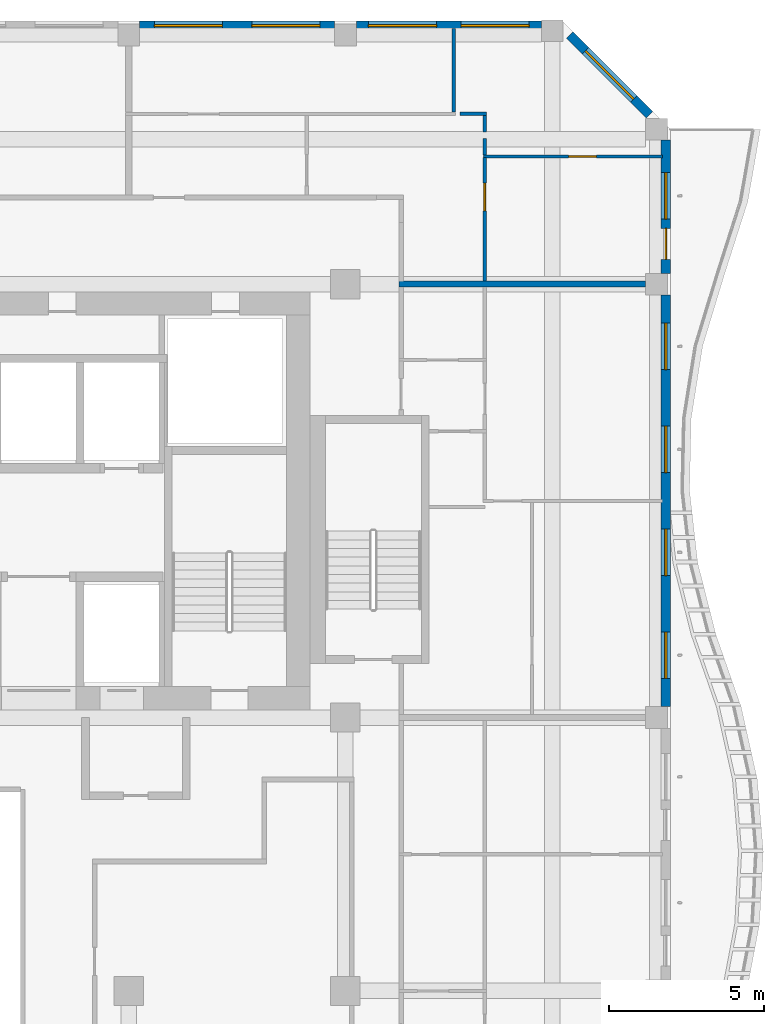
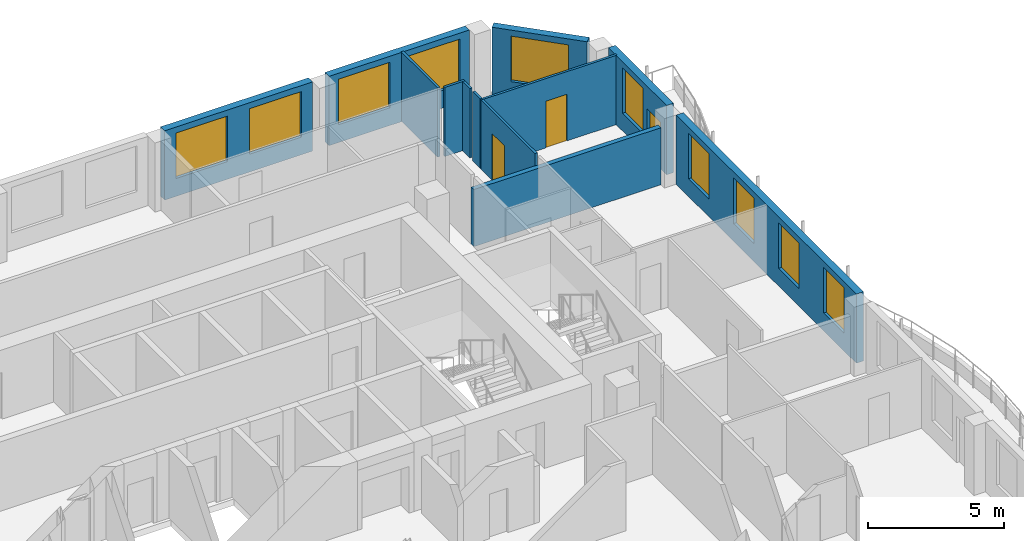
# One storey, part 9 of 20: 12 walls, 10 windows, 3 doors, 13 openings.
"""IFC4 building model written with IfcOpenShell, lengths in metres."""

import ifcopenshell
import ifcopenshell.guid

model = None  # the IFC model being written
_history = None  # IfcOwnerHistory: only IFC2X3 demands one
_inside = {}  # id of a spatial element -> (the spatial element, [elements in it])
_under = {}  # id of a project, library or spatial element -> (it, [spatial elements below it])
_declared = {}  # id of a project -> (the project, [libraries it declares])
_typed = {}  # id of a type object -> (the type object, [elements of that type])
_made_of = {}  # id of a material, layer set ... -> (it, [elements and type objects made of it])


def new_model(schema):
    """Start an empty IFC model of exactly this schema.

    Asked for "IFC4X3", IfcOpenShell would pick the latest addendum, in which some entities
    have other attributes; the version numbers below select the first issue.
    IFC2X3 requires an IfcOwnerHistory on every rooted entity: one is made here for all.
    """
    global model, _history
    if schema == "IFC4X3":
        model = ifcopenshell.file(schema_version=(4, 3, 0, 0))
    else:
        model = ifcopenshell.file(schema=schema)
    _inside.clear()
    _under.clear()
    _declared.clear()
    _typed.clear()
    _made_of.clear()
    _history = None
    if model.schema == "IFC2X3":
        org = make("IfcOrganization", Name="unknown")
        user = make(
            "IfcPersonAndOrganization",
            ThePerson=make("IfcPerson", FamilyName="unknown"),
            TheOrganization=org,
        )
        app = make(
            "IfcApplication",
            ApplicationDeveloper=org,
            Version="unknown",
            ApplicationFullName="unknown",
            ApplicationIdentifier="unknown",
        )
        _history = make(
            "IfcOwnerHistory",
            OwningUser=user,
            OwningApplication=app,
            ChangeAction="ADDED",
            CreationDate=0,
        )
    return model


def make(cls, **values):
    """One entity of the class cls with the attributes given. An attribute that is None is left unset."""
    return model.create_entity(
        cls, **{name: value for name, value in values.items() if value is not None}
    )


def rooted(cls, **values):
    """An entity with a GlobalId (a new one), such as an element, a storey or a relation."""
    return make(cls, GlobalId=ifcopenshell.guid.new(), OwnerHistory=_history, **values)


def si_unit(unit_type, name, prefix=None):
    """IfcSIUnit, for example si_unit("LENGTHUNIT", "METRE", prefix="MILLI")."""
    return make("IfcSIUnit", UnitType=unit_type, Prefix=prefix, Name=name)


def assignment(units):
    """IfcUnitAssignment: the units of a project."""
    return None if units is None else make("IfcUnitAssignment", Units=units)


def point(xyz):
    """IfcCartesianPoint."""
    return None if xyz is None else make("IfcCartesianPoint", Coordinates=xyz)


def direction(xyz):
    """IfcDirection."""
    return None if xyz is None else make("IfcDirection", DirectionRatios=xyz)


def frame(location, z_axis=None, x_axis=None):
    """IfcAxis2Placement3D, a coordinate frame: its origin and axes. An axis left out is left unset."""
    return make(
        "IfcAxis2Placement3D",
        Location=point(location),
        Axis=direction(z_axis),
        RefDirection=direction(x_axis),
    )


def frame_2d(location, x_axis=None):
    """IfcAxis2Placement2D, a coordinate frame in the plane: its origin and x axis."""
    return make(
        "IfcAxis2Placement2D", Location=point(location), RefDirection=direction(x_axis)
    )


def origin():
    """The frame at (0, 0, 0) with its axes left unset."""
    return frame((0.0, 0.0, 0.0))


def place(relative_to, where):
    """IfcLocalPlacement: puts the frame where relative to a parent placement (None: the world)."""
    return make(
        "IfcLocalPlacement", PlacementRelTo=relative_to, RelativePlacement=where
    )


def context(
    kind, dimensions, precision=None, world=None, true_north=None, identifier=None
):
    """IfcGeometricRepresentationContext, for example the 3D "Model" context."""
    return make(
        "IfcGeometricRepresentationContext",
        ContextIdentifier=identifier,
        ContextType=kind,
        CoordinateSpaceDimension=dimensions,
        Precision=precision,
        WorldCoordinateSystem=world,
        TrueNorth=true_north,
    )


def subcontext(parent, identifier, kind, view, scale=None):
    """IfcGeometricRepresentationSubContext, for example "Body" below "Model"."""
    return make(
        "IfcGeometricRepresentationSubContext",
        ContextIdentifier=identifier,
        ContextType=kind,
        ParentContext=parent,
        TargetScale=scale,
        TargetView=view,
    )


def project(units=None, contexts=None):
    """IfcProject with its units and contexts."""
    return rooted(
        "IfcProject",
        Name="project",
        RepresentationContexts=contexts,
        UnitsInContext=assignment(units),
    )


def spatial(cls, under=None, at=None, **own):
    """A site, building, storey or space (cls), placed at a placement, below another one or the project."""
    s = rooted(cls, ObjectPlacement=at, **own)
    if under is not None:
        _under.setdefault(under.id(), (under, []))[1].append(s)
    return s


def profile(cls, at=None, kind="AREA", **sizes):
    """A parametric profile (cls). Its sizes go by their IFC names, for example OverallWidth=200.0."""
    return make(cls, ProfileType=kind, Position=at, **sizes)


def rectangle(**sizes):
    """IfcRectangleProfileDef."""
    return profile("IfcRectangleProfileDef", **sizes)


def extrude(swept, where, along, depth):
    """IfcExtrudedAreaSolid: the profile swept, set in the frame where, extruded along a direction by depth."""
    return make(
        "IfcExtrudedAreaSolid",
        SweptArea=swept,
        Position=where,
        ExtrudedDirection=direction(along),
        Depth=depth,
    )


def shape(context_of_items, identifier, shape_type, items):
    """IfcShapeRepresentation: the items that make up one representation, for example the "Body"."""
    return make(
        "IfcShapeRepresentation",
        ContextOfItems=context_of_items,
        RepresentationIdentifier=identifier,
        RepresentationType=shape_type,
        Items=items,
    )


def source(mapping_origin, context_of_items, identifier, shape_type, items):
    """IfcRepresentationMap: a shape defined once, which mapped items show again and again."""
    return make(
        "IfcRepresentationMap",
        MappingOrigin=mapping_origin,
        MappedRepresentation=shape(context_of_items, identifier, shape_type, items),
    )


def transform(
    local_origin,
    x_axis=None,
    y_axis=None,
    z_axis=None,
    scale=None,
    scale2=None,
    scale3=None,
    uniform=True,
):
    """IfcCartesianTransformationOperator3D, or its non-uniform kind. x_axis, y_axis, z_axis: its Axis1, 2, 3."""
    if uniform:
        return make(
            "IfcCartesianTransformationOperator3D",
            Axis1=direction(x_axis),
            Axis2=direction(y_axis),
            LocalOrigin=point(local_origin),
            Scale=scale,
            Axis3=direction(z_axis),
        )
    return make(
        "IfcCartesianTransformationOperator3DnonUniform",
        Axis1=direction(x_axis),
        Axis2=direction(y_axis),
        LocalOrigin=point(local_origin),
        Scale=scale,
        Axis3=direction(z_axis),
        Scale2=scale2,
        Scale3=scale3,
    )


def mapped(mapping_source, mapping_target):
    """IfcMappedItem: shows the shape of a source again, moved by a transform."""
    return make(
        "IfcMappedItem", MappingSource=mapping_source, MappingTarget=mapping_target
    )


def material(Name=None, Category=None):
    """IfcMaterial."""
    return make("IfcMaterial", Name=Name, Category=Category)


def layer(
    of_material, thickness, ventilated=None, Name=None, Category=None, Priority=None
):
    """IfcMaterialLayer: one layer of a wall or slab, of a material (None: an air gap)."""
    return make(
        "IfcMaterialLayer",
        Material=of_material,
        LayerThickness=thickness,
        IsVentilated=ventilated,
        Name=Name,
        Category=Category,
        Priority=Priority,
    )


def layer_set(layers, Name=None):
    """IfcMaterialLayerSet."""
    return make("IfcMaterialLayerSet", MaterialLayers=layers, LayerSetName=Name)


def made_of(thing, what):
    """Note that an element or type object is made of a material, layer set ...; save() writes the relation."""
    if what is not None:
        _made_of.setdefault(what.id(), (what, []))[1].append(thing)
    return thing


def type_object(cls, material=None, **own):
    """A type object (cls), such as IfcWallType, which elements share."""
    return made_of(rooted(cls, **own), material)


def element(
    cls,
    number,
    at=None,
    inside=None,
    cuts=None,
    type_object=None,
    material=None,
    context=None,
    identifier="Body",
    shape_type=None,
    held_by="IfcProductDefinitionShape",
    body=None,
    shapes=None,
    **own,
):
    """One element of the class cls, such as IfcWall. Its Tag is "e" and its number.

    at: its placement. inside: the storey or other place that contains it. cuts: it is an
    opening in that element (IfcRelVoidsElement). A single representation is given by context,
    identifier, shape_type and body (its items); several are given by shapes. held_by: the class
    of the entity that holds the representations. save() writes the other relations.
    """
    e = rooted(cls, Tag="e%d" % number, ObjectPlacement=at, **own)
    if body is not None:
        shapes = [shape(context, identifier, shape_type, body)]
    if shapes is not None:
        e.Representation = make(held_by, Representations=shapes)
    if inside is not None:
        _inside.setdefault(inside.id(), (inside, []))[1].append(e)
    if cuts is not None:
        rooted(
            "IfcRelVoidsElement", RelatingBuildingElement=cuts, RelatedOpeningElement=e
        )
    if type_object is not None:
        _typed.setdefault(type_object.id(), (type_object, []))[1].append(e)
    return made_of(e, material)


def fill(opening, filler):
    """IfcRelFillsElement: the door or window that sits in an opening."""
    return rooted(
        "IfcRelFillsElement",
        RelatingOpeningElement=opening,
        RelatedBuildingElement=filler,
    )


def aggregate(whole, parts):
    """IfcRelAggregates: a whole, such as a stair, and the parts it consists of."""
    return rooted("IfcRelAggregates", RelatingObject=whole, RelatedObjects=parts)


def save(model, path):
    """Write the relations noted so far, then the file.

    IfcRelAggregates (storeys below a building ...), IfcRelContainedInSpatialStructure (elements
    in a storey), IfcRelDefinesByType, IfcRelAssociatesMaterial and IfcRelDeclares: one each for
    every whole, place, type object, material and project.
    """
    for whole, parts in _under.values():
        aggregate(whole, parts)
    for where, things in _inside.values():
        rooted(
            "IfcRelContainedInSpatialStructure",
            RelatedElements=things,
            RelatingStructure=where,
        )
    for kind, things in _typed.values():
        rooted("IfcRelDefinesByType", RelatedObjects=things, RelatingType=kind)
    for what, things in _made_of.values():
        rooted("IfcRelAssociatesMaterial", RelatedObjects=things, RelatingMaterial=what)
    for by, libraries in _declared.values():
        rooted("IfcRelDeclares", RelatingContext=by, RelatedDefinitions=libraries)
    model.write(path)


model = new_model("IFC4")

# Units and contexts
model_context = context("Model", 3, precision=1e-05, world=origin(), true_north=direction((0.0, 1.0)))
body_context = subcontext(model_context, "Body", "Model", "MODEL_VIEW")
ifc_project = project(units=[si_unit("LENGTHUNIT", "METRE"), si_unit("AREAUNIT", "SQUARE_METRE"), si_unit("VOLUMEUNIT", "CUBIC_METRE"), si_unit("PLANEANGLEUNIT", "RADIAN"), si_unit("MASSUNIT", "GRAM", prefix="KILO")], contexts=[model_context])

# Site, building, storey
site_placement = place(None, origin())
site = spatial("IfcSite", under=ifc_project, at=site_placement, CompositionType="ELEMENT")
building_placement = place(site_placement, origin())
building = spatial("IfcBuilding", under=site, at=building_placement, Name="Kilnfold Tower and Market Hall", CompositionType="ELEMENT")
storey_placement = place(building_placement, frame((0.0, 0.0, 239.0)))
storey = spatial("IfcBuildingStorey", under=building, at=storey_placement, Name="L57", CompositionType="ELEMENT", Elevation=239.0)

# Wall, opening, door
ifc_material_1 = material(Name="Gypsum board on steel studs", Category="steel")
ifc_layer_1 = layer(ifc_material_1, 0.10009765625)
ifc_layer_set_1 = layer_set([ifc_layer_1], Name="Gypsum board on steel studs")
wall_type_1 = type_object("IfcWallType", Name="WALL PARTITION 100", PredefinedType="PARTITIONING", material=ifc_layer_set_1)
wall_1_placement = place(storey_placement, frame((23.5, 22.10009765625, 0.0), z_axis=(0.0, 0.0, 1.0), x_axis=(0.0, 1.0, 0.0)))
wall_1 = element("IfcWall", 1, at=wall_1_placement, inside=storey, type_object=wall_type_1, Name="Partition LY35.92", PredefinedType="PARTITIONING", context=body_context, shape_type="SweptSolid", body=[
    extrude(rectangle(XDim=3.98486328125, YDim=0.10009765625, at=frame_2d((1.992431640625, 0.0))), origin(), (0.0, 0.0, 1.0), 3.1201171875),
])
opening_1_placement = place(wall_1_placement, frame((2.264892578125, 0.0, 0.0)))
opening_1 = element("IfcOpeningElement", 2, at=opening_1_placement, cuts=wall_1, Name="Opening D2", PredefinedType="OPENING", context=body_context, shape_type="SweptSolid", body=[
    extrude(rectangle(XDim=0.89990234375, YDim=2.10009765625, at=frame_2d((0.449951171875, 1.050048828125))), frame((0.0, 0.06005859375, 0.0), z_axis=(0.0, -1.0, 0.0), x_axis=(1.0, 0.0, 0.0)), (0.0, 0.0, 1.0), 0.1201171875),
])
ifc_material_2 = material(Name="Timber veneer door leaf in steel frame", Category="steel")
door_type_1 = type_object("IfcDoorType", Name="DOOR ROOM 900 X2100", OperationType="NOTDEFINED", PredefinedType="DOOR", material=ifc_material_2)
door_1_placement = place(opening_1_placement, origin())
door_1 = element("IfcDoor", 3, at=door_1_placement, inside=storey, type_object=door_type_1, Name="Door D2", OperationType="SINGLE_SWING_LEFT", OverallHeight=2.10009765625, OverallWidth=0.89990234375, PredefinedType="DOOR", context=body_context, shape_type="SweptSolid", body=[
    extrude(rectangle(XDim=0.89990234375, YDim=2.10009765625, at=frame_2d((0.449951171875, 1.050048828125))), frame((0.0, 0.02490234375, 0.0), z_axis=(0.0, -1.0, 0.0), x_axis=(1.0, 0.0, 0.0)), (0.0, 0.0, 1.0), 0.050048828125),
])
fill(opening_1, door_1)

# Walls
wall_2_placement = place(storey_placement, frame((23.552001953125, 27.501953125, 0.0), z_axis=(0.0, 0.0, 1.0), x_axis=(-1.0, 0.0, 0.0)))
element("IfcWall", 4, at=wall_2_placement, inside=storey, type_object=wall_type_1, Name="Partition LY35.93", PredefinedType="PARTITIONING", context=body_context, shape_type="SweptSolid", body=[
    extrude(rectangle(XDim=0.85400390625, YDim=0.10009765625, at=frame_2d((0.427001953125, 0.0))), origin(), (0.0, 0.0, 1.0), 3.1201171875),
])
wall_3_placement = place(storey_placement, frame((23.501953125, 26.9169921875, 0.0), z_axis=(0.0, 0.0, 1.0), x_axis=(0.0, 1.0, 0.0)))
element("IfcWall", 5, at=wall_3_placement, inside=storey, type_object=wall_type_1, Name="Partition LY35.94", PredefinedType="PARTITIONING", context=body_context, shape_type="SweptSolid", body=[
    extrude(rectangle(XDim=0.534912109375, YDim=0.10009765625, at=frame_2d((0.267578125, 0.0))), origin(), (0.0, 0.0, 1.0), 3.1201171875),
])
wall_4_placement = place(storey_placement, frame((23.5, 26.1650390625, 0.0), z_axis=(0.0, 0.0, 1.0), x_axis=(0.0, 1.0, 0.0)))
element("IfcWall", 6, at=wall_4_placement, inside=storey, type_object=wall_type_1, Name="Partition LY35.95", PredefinedType="PARTITIONING", context=body_context, shape_type="SweptSolid", body=[
    extrude(rectangle(XDim=0.532958984375, YDim=0.10009765625, at=frame_2d((0.2666015625, 0.0))), origin(), (0.0, 0.0, 1.0), 3.1201171875),
])
wall_5_placement = place(storey_placement, frame((22.5, 27.552001953125, 0.0), z_axis=(0.0, 0.0, 1.0), x_axis=(0.0, 1.0, 0.0)))
element("IfcWall", 7, at=wall_5_placement, inside=storey, type_object=wall_type_1, Name="Partition LY35.96", PredefinedType="PARTITIONING", context=body_context, shape_type="SweptSolid", body=[
    extrude(rectangle(XDim=2.697998046875, YDim=0.10009765625, at=frame_2d((1.34912109375, 0.0))), origin(), (0.0, 0.0, 1.0), 3.1201171875),
])

# Wall, opening, door
wall_6_placement = place(storey_placement, frame((29.25, 26.125, 0.0), z_axis=(0.0, 0.0, 1.0), x_axis=(-1.0, 0.0, 0.0)))
wall_6 = element("IfcWall", 8, at=wall_6_placement, inside=storey, type_object=wall_type_1, Name="Partition LY35.98", PredefinedType="PARTITIONING", context=body_context, shape_type="SweptSolid", body=[
    extrude(rectangle(XDim=5.798095703125, YDim=0.10009765625, at=frame_2d((2.89892578125, 0.0))), origin(), (0.0, 0.0, 1.0), 3.1201171875),
])
opening_2_placement = place(wall_6_placement, frame((2.14208984375, 0.0, 0.0)))
opening_2 = element("IfcOpeningElement", 9, at=opening_2_placement, cuts=wall_6, Name="Opening D2", PredefinedType="OPENING", context=body_context, shape_type="SweptSolid", body=[
    extrude(rectangle(XDim=0.89990234375, YDim=2.10009765625, at=frame_2d((0.449951171875, 1.050048828125))), frame((0.0, 0.06005859375, 0.0), z_axis=(0.0, -1.0, 0.0), x_axis=(1.0, 0.0, 0.0)), (0.0, 0.0, 1.0), 0.1201171875),
])
door_2_placement = place(opening_2_placement, origin())
door_2 = element("IfcDoor", 10, at=door_2_placement, inside=storey, type_object=door_type_1, Name="Door D2", OperationType="SINGLE_SWING_RIGHT", OverallHeight=2.10009765625, OverallWidth=0.89990234375, PredefinedType="DOOR", context=body_context, shape_type="SweptSolid", body=[
    extrude(rectangle(XDim=0.89990234375, YDim=2.10009765625, at=frame_2d((0.449951171875, 1.050048828125))), frame((0.0, 0.02490234375, 0.0), z_axis=(0.0, -1.0, 0.0), x_axis=(1.0, 0.0, 0.0)), (0.0, 0.0, 1.0), 0.050048828125),
])
fill(opening_2, door_2)

# Wall
ifc_material_3 = material(Name="Gypsum board on steel studs", Category="steel")
ifc_layer_2 = layer(ifc_material_3, 0.199951171875)
ifc_layer_set_2 = layer_set([ifc_layer_2], Name="Gypsum board on steel studs")
wall_type_2 = type_object("IfcWallType", Name="WALL PARTY 200", PredefinedType="PARTITIONING", material=ifc_layer_set_2)
wall_7_placement = place(storey_placement, frame((20.72705078125, 22.0, 0.0), z_axis=(0.0, 0.0, 1.0), x_axis=(1.0, 0.0, 0.0)))
element("IfcWall", 11, at=wall_7_placement, inside=storey, type_object=wall_type_2, Name="Partition LY35.88", PredefinedType="PARTITIONING", context=body_context, shape_type="SweptSolid", body=[
    extrude(rectangle(XDim=7.972900390625, YDim=0.199951171875, at=frame_2d((3.986328125, 0.0))), origin(), (0.0, 0.0, 1.0), 2.570068359375),
])

# Wall, openings, windows
ifc_material_4 = material(Name="Precast concrete C50/60", Category="concrete")
ifc_layer_3 = layer(ifc_material_4, 0.300048828125)
ifc_layer_set_3 = layer_set([ifc_layer_3], Name="Precast concrete C50/60")
wall_type_3 = type_object("IfcWallType", Name="PRECAST WALL 300", PredefinedType="SOLIDWALL", material=ifc_layer_set_3)
shared_shape_1 = source(origin(), body_context, "Body", "SweptSolid", [
    extrude(rectangle(XDim=6.2998046875, YDim=0.300048828125, at=frame_2d((3.14990234375, 0.0))), origin(), (0.0, 0.0, 1.0), 3.1201171875),
])
wall_8_placement = place(storey_placement, frame((18.64990234375, 30.35009765625, 0.0), z_axis=(0.0, 0.0, 1.0), x_axis=(-1.0, 0.0, 0.0)))
wall_8 = element("IfcWall", 12, at=wall_8_placement, inside=storey, type_object=wall_type_3, Name="External wall L57 N", PredefinedType="SOLIDWALL", context=body_context, shape_type="MappedRepresentation", body=[
    mapped(shared_shape_1, transform((0.0, 0.0, 0.0))),
])
opening_3_placement = place(wall_8_placement, frame((0.47509765625, 0.0, 0.800048828125)))
opening_3 = element("IfcOpeningElement", 13, at=opening_3_placement, cuts=wall_8, Name="Opening W3", PredefinedType="OPENING", context=body_context, shape_type="SweptSolid", body=[
    extrude(rectangle(XDim=2.199951171875, YDim=2.050048828125, at=frame_2d((1.10009765625, 1.02490234375))), frame((0.0, 0.16015625, 0.0), z_axis=(0.0, -1.0, 0.0), x_axis=(1.0, 0.0, 0.0)), (0.0, 0.0, 1.0), 0.320068359375),
])
opening_4_placement = place(wall_8_placement, frame((3.625, 0.0, 0.800048828125)))
opening_4 = element("IfcOpeningElement", 14, at=opening_4_placement, cuts=wall_8, Name="Opening W3", PredefinedType="OPENING", context=body_context, shape_type="SweptSolid", body=[
    extrude(rectangle(XDim=2.199951171875, YDim=2.050048828125, at=frame_2d((1.10009765625, 1.02490234375))), frame((0.0, 0.16015625, 0.0), z_axis=(0.0, -1.0, 0.0), x_axis=(1.0, 0.0, 0.0)), (0.0, 0.0, 1.0), 0.320068359375),
])
ifc_material_5 = material(Name="Aluminium frame and double glazing", Category="aluminium")
window_type_1 = type_object("IfcWindowType", Name="WINDOW W3 2200X2050", PartitioningType="SINGLE_PANEL", PredefinedType="WINDOW", material=ifc_material_5)
window_1_placement = place(opening_3_placement, origin())
window_1 = element("IfcWindow", 15, at=window_1_placement, inside=storey, type_object=window_type_1, Name="Window W3 L57 N-1", OverallHeight=2.050048828125, OverallWidth=2.199951171875, PartitioningType="SINGLE_PANEL", PredefinedType="WINDOW", context=body_context, shape_type="SweptSolid", body=[
    extrude(rectangle(XDim=2.199951171875, YDim=2.050048828125, at=frame_2d((1.10009765625, 1.02490234375))), frame((0.0, 0.030029296875, 0.0), z_axis=(0.0, -1.0, 0.0), x_axis=(1.0, 0.0, 0.0)), (0.0, 0.0, 1.0), 0.06005859375),
])
fill(opening_3, window_1)
window_2_placement = place(opening_4_placement, origin())
window_2 = element("IfcWindow", 16, at=window_2_placement, inside=storey, type_object=window_type_1, Name="Window W3 L57 N-2", OverallHeight=2.050048828125, OverallWidth=2.199951171875, PartitioningType="SINGLE_PANEL", PredefinedType="WINDOW", context=body_context, shape_type="SweptSolid", body=[
    extrude(rectangle(XDim=2.199951171875, YDim=2.050048828125, at=frame_2d((1.10009765625, 1.02490234375))), frame((0.0, 0.030029296875, 0.0), z_axis=(0.0, -1.0, 0.0), x_axis=(1.0, 0.0, 0.0)), (0.0, 0.0, 1.0), 0.06005859375),
])
fill(opening_4, window_2)

# Wall, opening, window
shared_shape_2 = source(origin(), body_context, "Body", "SweptSolid", [
    extrude(rectangle(XDim=3.6416015625, YDim=0.300048828125, at=frame_2d((1.82080078125, 0.0))), origin(), (0.0, 0.0, 1.0), 3.1201171875),
])
wall_9_placement = place(storey_placement, frame((28.81884765625, 27.468994140625, 0.0), z_axis=(0.0, 0.0, 1.0), x_axis=(-0.707106781187, 0.707106781187, 0.0)))
wall_9 = element("IfcWall", 17, at=wall_9_placement, inside=storey, type_object=wall_type_3, Name="External wall L57 NE", PredefinedType="SOLIDWALL", context=body_context, shape_type="MappedRepresentation", body=[
    mapped(shared_shape_2, transform((0.0, 0.0, 0.0))),
])
opening_5_placement = place(wall_9_placement, frame((0.720703125, 0.0, 0.800048828125)))
opening_5 = element("IfcOpeningElement", 18, at=opening_5_placement, cuts=wall_9, Name="Opening W3", PredefinedType="OPENING", context=body_context, shape_type="SweptSolid", body=[
    extrude(rectangle(XDim=2.199951171875, YDim=2.050048828125, at=frame_2d((1.10009765625, 1.02490234375))), frame((0.0, 0.16015625, 0.0), z_axis=(0.0, -1.0, 0.0), x_axis=(1.0, 0.0, 0.0)), (0.0, 0.0, 1.0), 0.320068359375),
])
window_3_placement = place(opening_5_placement, origin())
window_3 = element("IfcWindow", 19, at=window_3_placement, inside=storey, type_object=window_type_1, Name="Window W3 L57 NE-1", OverallHeight=2.050048828125, OverallWidth=2.199951171875, PartitioningType="SINGLE_PANEL", PredefinedType="WINDOW", context=body_context, shape_type="SweptSolid", body=[
    extrude(rectangle(XDim=2.199951171875, YDim=2.050048828125, at=frame_2d((1.10009765625, 1.02490234375))), frame((0.0, 0.030029296875, 0.0), z_axis=(0.0, -1.0, 0.0), x_axis=(1.0, 0.0, 0.0)), (0.0, 0.0, 1.0), 0.06005859375),
])
fill(opening_5, window_3)

# Wall, openings, windows
shared_shape_3 = source(origin(), body_context, "Body", "SweptSolid", [
    extrude(rectangle(XDim=13.2998046875, YDim=0.300048828125, at=frame_2d((6.64990234375, 0.0))), origin(), (0.0, 0.0, 1.0), 3.1201171875),
])
wall_10_placement = place(storey_placement, frame((29.35009765625, 8.35009765625, 0.0), z_axis=(0.0, 0.0, 1.0), x_axis=(0.0, 1.0, 0.0)))
wall_10 = element("IfcWall", 20, at=wall_10_placement, inside=storey, type_object=wall_type_3, Name="External wall L57 E", PredefinedType="SOLIDWALL", context=body_context, shape_type="MappedRepresentation", body=[
    mapped(shared_shape_3, transform((0.0, 0.0, 0.0))),
])
opening_6_placement = place(wall_10_placement, frame((0.91259765625, 0.0, 0.800048828125)))
opening_6 = element("IfcOpeningElement", 21, at=opening_6_placement, cuts=wall_10, Name="Opening W5", PredefinedType="OPENING", context=body_context, shape_type="SweptSolid", body=[
    extrude(rectangle(XDim=1.5, YDim=2.050048828125, at=frame_2d((0.75, 1.02490234375))), frame((0.0, 0.16015625, 0.0), z_axis=(0.0, -1.0, 0.0), x_axis=(1.0, 0.0, 0.0)), (0.0, 0.0, 1.0), 0.320068359375),
])
opening_7_placement = place(wall_10_placement, frame((4.237548828125, 0.0, 0.800048828125)))
opening_7 = element("IfcOpeningElement", 22, at=opening_7_placement, cuts=wall_10, Name="Opening W5", PredefinedType="OPENING", context=body_context, shape_type="SweptSolid", body=[
    extrude(rectangle(XDim=1.5, YDim=2.050048828125, at=frame_2d((0.75, 1.02490234375))), frame((0.0, 0.16015625, 0.0), z_axis=(0.0, -1.0, 0.0), x_axis=(1.0, 0.0, 0.0)), (0.0, 0.0, 1.0), 0.320068359375),
])
opening_8_placement = place(wall_10_placement, frame((7.5625, 0.0, 0.800048828125)))
opening_8 = element("IfcOpeningElement", 23, at=opening_8_placement, cuts=wall_10, Name="Opening W5", PredefinedType="OPENING", context=body_context, shape_type="SweptSolid", body=[
    extrude(rectangle(XDim=1.5, YDim=2.050048828125, at=frame_2d((0.75, 1.02490234375))), frame((0.0, 0.16015625, 0.0), z_axis=(0.0, -1.0, 0.0), x_axis=(1.0, 0.0, 0.0)), (0.0, 0.0, 1.0), 0.320068359375),
])
opening_9_placement = place(wall_10_placement, frame((10.887451171875, 0.0, 0.800048828125)))
opening_9 = element("IfcOpeningElement", 24, at=opening_9_placement, cuts=wall_10, Name="Opening W5", PredefinedType="OPENING", context=body_context, shape_type="SweptSolid", body=[
    extrude(rectangle(XDim=1.5, YDim=2.050048828125, at=frame_2d((0.75, 1.02490234375))), frame((0.0, 0.16015625, 0.0), z_axis=(0.0, -1.0, 0.0), x_axis=(1.0, 0.0, 0.0)), (0.0, 0.0, 1.0), 0.320068359375),
])
ifc_material_6 = material(Name="Aluminium frame and double glazing", Category="aluminium")
window_type_2 = type_object("IfcWindowType", Name="WINDOW W5 1500X2050", PartitioningType="SINGLE_PANEL", PredefinedType="WINDOW", material=ifc_material_6)
window_4_placement = place(opening_6_placement, origin())
window_4 = element("IfcWindow", 25, at=window_4_placement, inside=storey, type_object=window_type_2, Name="Window W5 L57 E-1", OverallHeight=2.050048828125, OverallWidth=1.5, PartitioningType="SINGLE_PANEL", PredefinedType="WINDOW", context=body_context, shape_type="SweptSolid", body=[
    extrude(rectangle(XDim=1.5, YDim=2.050048828125, at=frame_2d((0.75, 1.02490234375))), frame((0.0, 0.030029296875, 0.0), z_axis=(0.0, -1.0, 0.0), x_axis=(1.0, 0.0, 0.0)), (0.0, 0.0, 1.0), 0.06005859375),
])
fill(opening_6, window_4)
window_5_placement = place(opening_7_placement, origin())
window_5 = element("IfcWindow", 26, at=window_5_placement, inside=storey, type_object=window_type_2, Name="Window W5 L57 E-2", OverallHeight=2.050048828125, OverallWidth=1.5, PartitioningType="SINGLE_PANEL", PredefinedType="WINDOW", context=body_context, shape_type="SweptSolid", body=[
    extrude(rectangle(XDim=1.5, YDim=2.050048828125, at=frame_2d((0.75, 1.02490234375))), frame((0.0, 0.030029296875, 0.0), z_axis=(0.0, -1.0, 0.0), x_axis=(1.0, 0.0, 0.0)), (0.0, 0.0, 1.0), 0.06005859375),
])
fill(opening_7, window_5)
window_6_placement = place(opening_8_placement, origin())
window_6 = element("IfcWindow", 27, at=window_6_placement, inside=storey, type_object=window_type_2, Name="Window W5 L57 E-3", OverallHeight=2.050048828125, OverallWidth=1.5, PartitioningType="SINGLE_PANEL", PredefinedType="WINDOW", context=body_context, shape_type="SweptSolid", body=[
    extrude(rectangle(XDim=1.5, YDim=2.050048828125, at=frame_2d((0.75, 1.02490234375))), frame((0.0, 0.030029296875, 0.0), z_axis=(0.0, -1.0, 0.0), x_axis=(1.0, 0.0, 0.0)), (0.0, 0.0, 1.0), 0.06005859375),
])
fill(opening_8, window_6)
window_7_placement = place(opening_9_placement, origin())
window_7 = element("IfcWindow", 28, at=window_7_placement, inside=storey, type_object=window_type_2, Name="Window W5 L57 E-4", OverallHeight=2.050048828125, OverallWidth=1.5, PartitioningType="SINGLE_PANEL", PredefinedType="WINDOW", context=body_context, shape_type="SweptSolid", body=[
    extrude(rectangle(XDim=1.5, YDim=2.050048828125, at=frame_2d((0.75, 1.02490234375))), frame((0.0, 0.030029296875, 0.0), z_axis=(0.0, -1.0, 0.0), x_axis=(1.0, 0.0, 0.0)), (0.0, 0.0, 1.0), 0.06005859375),
])
fill(opening_9, window_7)

# Wall, openings, door, window
shared_shape_4 = source(origin(), body_context, "Body", "SweptSolid", [
    extrude(rectangle(XDim=4.2998046875, YDim=0.300048828125, at=frame_2d((2.14990234375, 0.0))), origin(), (0.0, 0.0, 1.0), 3.1201171875),
])
wall_11_placement = place(storey_placement, frame((29.35009765625, 22.35009765625, 0.0), z_axis=(0.0, 0.0, 1.0), x_axis=(0.0, 1.0, 0.0)))
wall_11 = element("IfcWall", 29, at=wall_11_placement, inside=storey, type_object=wall_type_3, Name="External wall L57 E", PredefinedType="SOLIDWALL", context=body_context, shape_type="MappedRepresentation", body=[
    mapped(shared_shape_4, transform((0.0, 0.0, 0.0))),
])
opening_10_placement = place(wall_11_placement, frame((1.75, 0.0, 0.800048828125)))
opening_10 = element("IfcOpeningElement", 30, at=opening_10_placement, cuts=wall_11, Name="Opening W5", PredefinedType="OPENING", context=body_context, shape_type="SweptSolid", body=[
    extrude(rectangle(XDim=1.5, YDim=2.050048828125, at=frame_2d((0.75, 1.02490234375))), frame((0.0, 0.16015625, 0.0), z_axis=(0.0, -1.0, 0.0), x_axis=(1.0, 0.0, 0.0)), (0.0, 0.0, 1.0), 0.320068359375),
])
opening_11_placement = place(wall_11_placement, frame((0.449951171875, 0.0, 0.0)))
opening_11 = element("IfcOpeningElement", 31, at=opening_11_placement, cuts=wall_11, Name="Opening BD1", PredefinedType="OPENING", context=body_context, shape_type="SweptSolid", body=[
    extrude(rectangle(XDim=1.0, YDim=2.10009765625, at=frame_2d((0.5, 1.050048828125))), frame((0.0, 0.16015625, 0.0), z_axis=(0.0, -1.0, 0.0), x_axis=(1.0, 0.0, 0.0)), (0.0, 0.0, 1.0), 0.320068359375),
])
ifc_material_7 = material(Name="Aluminium frame and double glazing", Category="aluminium")
door_type_2 = type_object("IfcDoorType", Name="BALCONY DOOR 1000X2100", OperationType="NOTDEFINED", PredefinedType="DOOR", material=ifc_material_7)
door_3_placement = place(opening_11_placement, origin())
door_3 = element("IfcDoor", 32, at=door_3_placement, inside=storey, type_object=door_type_2, Name="Balcony door BD1 L57 E-1", OperationType="SINGLE_SWING_LEFT", OverallHeight=2.10009765625, OverallWidth=1.0, PredefinedType="DOOR", context=body_context, shape_type="SweptSolid", body=[
    extrude(rectangle(XDim=1.0, YDim=2.10009765625, at=frame_2d((0.5, 1.050048828125))), frame((0.0, 0.02490234375, 0.0), z_axis=(0.0, -1.0, 0.0), x_axis=(1.0, 0.0, 0.0)), (0.0, 0.0, 1.0), 0.050048828125),
])
fill(opening_11, door_3)
window_8_placement = place(opening_10_placement, origin())
window_8 = element("IfcWindow", 33, at=window_8_placement, inside=storey, type_object=window_type_2, Name="Window W5 L57 E-1", OverallHeight=2.050048828125, OverallWidth=1.5, PartitioningType="SINGLE_PANEL", PredefinedType="WINDOW", context=body_context, shape_type="SweptSolid", body=[
    extrude(rectangle(XDim=1.5, YDim=2.050048828125, at=frame_2d((0.75, 1.02490234375))), frame((0.0, 0.030029296875, 0.0), z_axis=(0.0, -1.0, 0.0), x_axis=(1.0, 0.0, 0.0)), (0.0, 0.0, 1.0), 0.06005859375),
])
fill(opening_10, window_8)

# Wall, openings, windows
shared_shape_5 = source(origin(), body_context, "Body", "SweptSolid", [
    extrude(rectangle(XDim=5.981689453125, YDim=0.300048828125, at=frame_2d((2.99072265625, 0.0))), origin(), (0.0, 0.0, 1.0), 3.1201171875),
])
wall_12_placement = place(storey_placement, frame((25.331787109375, 30.35009765625, 0.0), z_axis=(0.0, 0.0, 1.0), x_axis=(-1.0, 0.0, 0.0)))
wall_12 = element("IfcWall", 34, at=wall_12_placement, inside=storey, type_object=wall_type_3, Name="External wall L57 N", PredefinedType="SOLIDWALL", context=body_context, shape_type="MappedRepresentation", body=[
    mapped(shared_shape_5, transform((0.0, 0.0, 0.0))),
])
opening_12_placement = place(wall_12_placement, frame((0.3955078125, 0.0, 0.800048828125)))
opening_12 = element("IfcOpeningElement", 35, at=opening_12_placement, cuts=wall_12, Name="Opening W3", PredefinedType="OPENING", context=body_context, shape_type="SweptSolid", body=[
    extrude(rectangle(XDim=2.199951171875, YDim=2.050048828125, at=frame_2d((1.10009765625, 1.02490234375))), frame((0.0, 0.16015625, 0.0), z_axis=(0.0, -1.0, 0.0), x_axis=(1.0, 0.0, 0.0)), (0.0, 0.0, 1.0), 0.320068359375),
])
opening_13_placement = place(wall_12_placement, frame((3.386474609375, 0.0, 0.800048828125)))
opening_13 = element("IfcOpeningElement", 36, at=opening_13_placement, cuts=wall_12, Name="Opening W3", PredefinedType="OPENING", context=body_context, shape_type="SweptSolid", body=[
    extrude(rectangle(XDim=2.199951171875, YDim=2.050048828125, at=frame_2d((1.10009765625, 1.02490234375))), frame((0.0, 0.16015625, 0.0), z_axis=(0.0, -1.0, 0.0), x_axis=(1.0, 0.0, 0.0)), (0.0, 0.0, 1.0), 0.320068359375),
])
window_9_placement = place(opening_12_placement, origin())
window_9 = element("IfcWindow", 37, at=window_9_placement, inside=storey, type_object=window_type_1, Name="Window W3 L57 N-1", OverallHeight=2.050048828125, OverallWidth=2.199951171875, PartitioningType="SINGLE_PANEL", PredefinedType="WINDOW", context=body_context, shape_type="SweptSolid", body=[
    extrude(rectangle(XDim=2.199951171875, YDim=2.050048828125, at=frame_2d((1.10009765625, 1.02490234375))), frame((0.0, 0.030029296875, 0.0), z_axis=(0.0, -1.0, 0.0), x_axis=(1.0, 0.0, 0.0)), (0.0, 0.0, 1.0), 0.06005859375),
])
fill(opening_12, window_9)
window_10_placement = place(opening_13_placement, origin())
window_10 = element("IfcWindow", 38, at=window_10_placement, inside=storey, type_object=window_type_1, Name="Window W3 L57 N-2", OverallHeight=2.050048828125, OverallWidth=2.199951171875, PartitioningType="SINGLE_PANEL", PredefinedType="WINDOW", context=body_context, shape_type="SweptSolid", body=[
    extrude(rectangle(XDim=2.199951171875, YDim=2.050048828125, at=frame_2d((1.10009765625, 1.02490234375))), frame((0.0, 0.030029296875, 0.0), z_axis=(0.0, -1.0, 0.0), x_axis=(1.0, 0.0, 0.0)), (0.0, 0.0, 1.0), 0.06005859375),
])
fill(opening_13, window_10)

save(model, "model.ifc")
